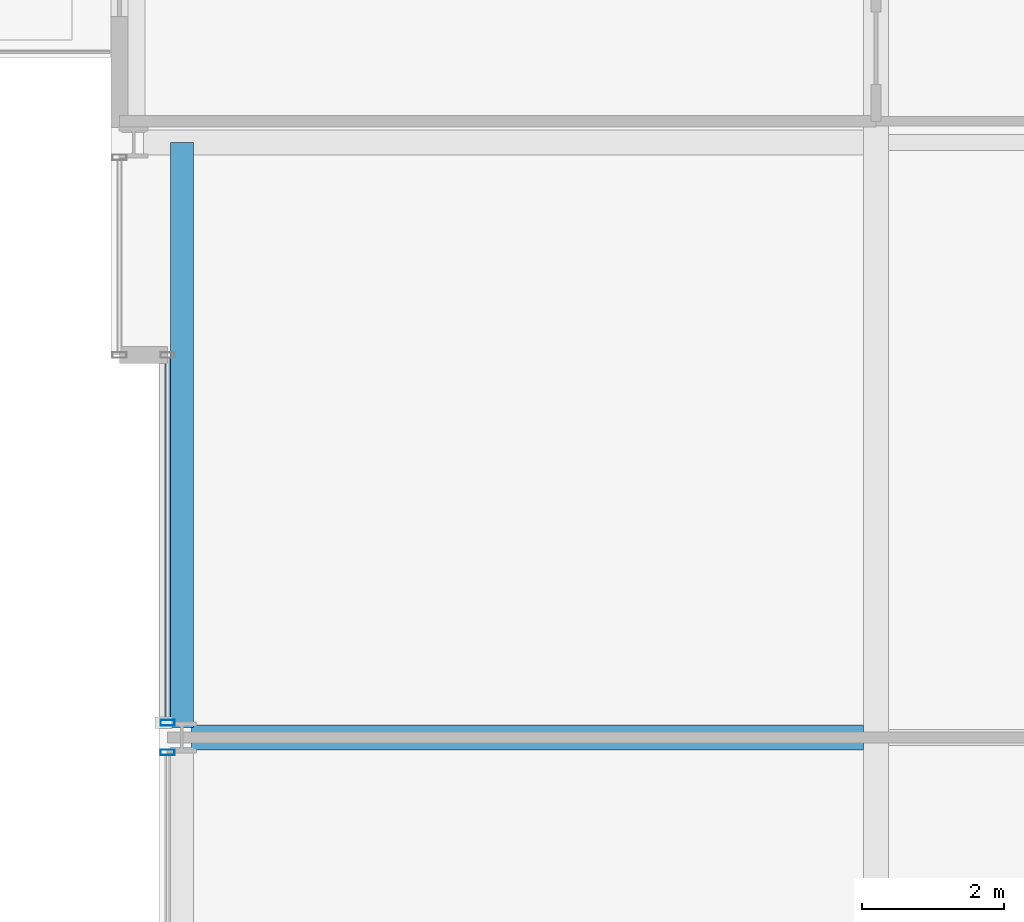
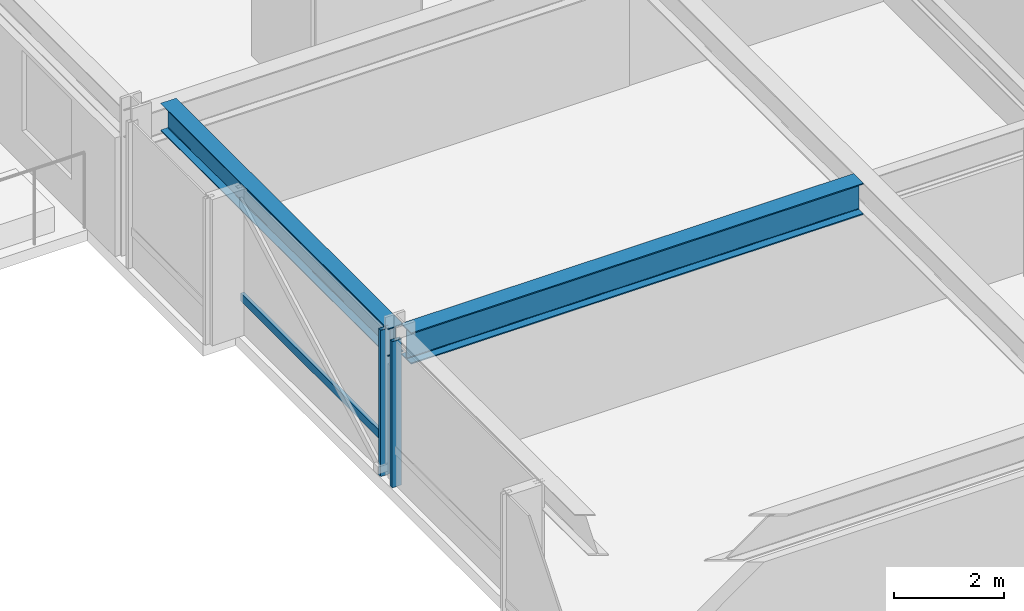
# One storey, part 9 of 35: 3 members, 2 beams, 2 elements without a shape of their own.
"""IFC4 building model written with IfcOpenShell, lengths in metres."""

from ifc_helpers import new_model, si_unit, direction, frame, origin, origin_2d, place, context, subcontext, project, spatial, hollow_rectangle, i_section, extrude, material, layer, layer_set, material_profile, profile_set, type_object, element, aggregate, save


model = new_model("IFC4")

# Units and contexts
model_context = context("Model", 3, precision=1e-05, world=origin(), true_north=direction((0.0, 1.0)))
body_context = subcontext(model_context, "Body", "Model", "MODEL_VIEW")
ifc_project = project(units=[si_unit("LENGTHUNIT", "METRE"), si_unit("AREAUNIT", "SQUARE_METRE"), si_unit("VOLUMEUNIT", "CUBIC_METRE"), si_unit("PLANEANGLEUNIT", "RADIAN"), si_unit("MASSUNIT", "GRAM", prefix="KILO")], contexts=[model_context])

# Site, building, storey
site_placement = place(None, origin())
site = spatial("IfcSite", under=ifc_project, at=site_placement, CompositionType="ELEMENT")
building_placement = place(site_placement, origin())
building = spatial("IfcBuilding", under=site, at=building_placement, Name="Drelvath Grand Hotel", CompositionType="ELEMENT")
storey_placement = place(building_placement, frame((0.0, 0.0, 130.300048828125)))
storey = spatial("IfcBuildingStorey", under=building, at=storey_placement, Name="L33", CompositionType="ELEMENT", Elevation=130.300048828125)

# Curtain wall, member
ifc_material_1 = material(Name="Champagne Bronze Anodised Aluminium Frame", Category="aluminium")
ifc_layer = layer(ifc_material_1, 0.199951171875)
ifc_layer_set = layer_set([ifc_layer], Name="Champagne Bronze Anodised Aluminium Frame")
curtain_wall_type = type_object("IfcCurtainWallType", Name="Stick Curtain Wall CW-03 Champagne Bronze Mid-Rise", PredefinedType="NOTDEFINED", material=ifc_layer_set)
curtain_wall_1_placement = place(storey_placement, origin())
curtain_wall_1 = element("IfcCurtainWall", 1, at=curtain_wall_1_placement, inside=storey, type_object=curtain_wall_type, Name="L33 CW-03 Curtain Wall CW03-L33-WM2", PredefinedType="NOTDEFINED")
ifc_material_profile_1 = material_profile(ifc_material_1, hollow_rectangle(XDim=0.074951171875, YDim=0.179931640625, WallThickness=0.0048828125, at=origin_2d()), Name="HSS180X75X5")
ifc_profile_set_1 = profile_set([ifc_material_profile_1], Name="Champagne Bronze Anodised Aluminium Frame")
member_type_1 = type_object("IfcMemberType", Name="Curtain Wall Horizontal Transom CW-03 HSS180X75X5", PredefinedType="USERDEFINED", material=ifc_profile_set_1)
member_1_placement = place(storey_placement, frame((-26.199951171875, 27.24951171875, 0.81005859375), z_axis=(0.0, 1.0, 0.0), x_axis=(-1.0, 0.0, 0.0)))
member_1 = element("IfcMember", 2, at=member_1_placement, type_object=member_type_1, Name="CW03-L33-WM2 Sill Transom", ObjectType="TRANSOM", PredefinedType="USERDEFINED", context=body_context, shape_type="SweptSolid", body=[
    extrude(hollow_rectangle(XDim=0.074951171875, YDim=0.179931640625, WallThickness=0.0048828125, at=origin_2d()), origin(), (0.0, 0.0, 1.0), 5.110595703125),
])

curtain_wall_2_placement = place(storey_placement, origin())
curtain_wall_2 = element("IfcCurtainWall", 3, at=curtain_wall_2_placement, inside=storey, type_object=curtain_wall_type, Name="L33 CW-03 Curtain Wall CW03-L33-WM1", PredefinedType="NOTDEFINED")
ifc_material_profile_2 = material_profile(ifc_material_1, hollow_rectangle(XDim=0.080078125, YDim=0.199951171875, WallThickness=0.0048828125, at=origin_2d()), Name="HSS200X80X5")
ifc_profile_set_2 = profile_set([ifc_material_profile_2], Name="Champagne Bronze Anodised Aluminium Frame")
member_type_2 = type_object("IfcMemberType", Name="Curtain Wall Vertical Mullion CW-03 HSS200X80X5", PredefinedType="MULLION", material=ifc_profile_set_2)
member_2_placement = place(storey_placement, frame((-26.199951171875, 26.79052734375, 0.0), z_axis=(0.0, 0.0, 1.0), x_axis=(0.0, 1.0, 0.0)))
member_2 = element("IfcMember", 4, at=member_2_placement, type_object=member_type_2, Name="CW03-L33-WM1 Mullion 2", PredefinedType="MULLION", context=body_context, shape_type="SweptSolid", body=[
    extrude(hollow_rectangle(XDim=0.080078125, YDim=0.199951171875, WallThickness=0.0048828125, at=origin_2d()), origin(), (0.0, 0.0, 1.0), 3.239990234375),
])
aggregate(curtain_wall_2, [member_2])

# Member
member_3_placement = place(storey_placement, frame((-26.199951171875, 27.20947265625, 0.0), z_axis=(0.0, 0.0, 1.0), x_axis=(0.0, 1.0, 0.0)))
member_3 = element("IfcMember", 5, at=member_3_placement, type_object=member_type_2, Name="CW03-L33-WM2 Mullion 1", PredefinedType="MULLION", context=body_context, shape_type="SweptSolid", body=[
    extrude(hollow_rectangle(XDim=0.080078125, YDim=0.199951171875, WallThickness=0.0048828125, at=origin_2d()), origin(), (0.0, 0.0, 1.0), 3.239990234375),
])

aggregate(curtain_wall_1, [member_3, member_1])

# Beams
ifc_material_2 = material(Name="Steel ASTM A992 Gr 50", Category="steel")
ifc_material_profile_3 = material_profile(ifc_material_2, i_section(OverallWidth=0.323974609375, OverallDepth=0.611083984375, WebThickness=0.0126953125, FlangeThickness=0.01904296875, FilletRadius=0.02197265625, at=origin_2d()), Name="W24X104")
ifc_profile_set_3 = profile_set([ifc_material_profile_3], Name="Steel ASTM A992 Gr 50")
beam_type_1 = type_object("IfcBeamType", Name="Perimeter Spandrel Beam W24X104", PredefinedType="SPANDREL", material=ifc_profile_set_3)
beam_1_placement = place(storey_placement, frame((-26.0, 27.139892578125, 2.934326171875), z_axis=(0.0, 1.0, 0.0), x_axis=(-1.0, 0.0, 0.0)))
element("IfcBeam", 6, at=beam_1_placement, inside=storey, type_object=beam_type_1, Name="L33 Spandrel West Mid N", PredefinedType="SPANDREL", context=body_context, shape_type="SweptSolid", body=[
    extrude(i_section(OverallWidth=0.323974609375, OverallDepth=0.611083984375, WebThickness=0.0126953125, FlangeThickness=0.01904296875, FilletRadius=0.02197265625, at=origin_2d()), origin(), (0.0, 0.0, 1.0), 8.260009765625),
])
ifc_material_profile_4 = material_profile(ifc_material_2, i_section(OverallWidth=0.354736328125, OverallDepth=0.695556640625, WebThickness=0.015380859375, FlangeThickness=0.025146484375, FilletRadius=0.02392578125, at=origin_2d()), Name="W27X146")
ifc_profile_set_4 = profile_set([ifc_material_profile_4], Name="Steel ASTM A992 Gr 50")
beam_type_2 = type_object("IfcBeamType", Name="Primary Floor Girder W27X146", PredefinedType="BEAM", material=ifc_profile_set_4)
beam_2_placement = place(storey_placement, frame((-25.860107421875, 27.0, 2.892333984375), z_axis=(1.0, 0.0, 0.0), x_axis=(0.0, 1.0, 0.0)))
element("IfcBeam", 7, at=beam_2_placement, inside=storey, type_object=beam_type_2, Name="L33 West Wing Girder E", PredefinedType="BEAM", context=body_context, shape_type="SweptSolid", body=[
    extrude(i_section(OverallWidth=0.354736328125, OverallDepth=0.695556640625, WebThickness=0.015380859375, FlangeThickness=0.025146484375, FilletRadius=0.02392578125, at=origin_2d()), origin(), (0.0, 0.0, 1.0), 9.482666015625),
])

save(model, "model.ifc")
